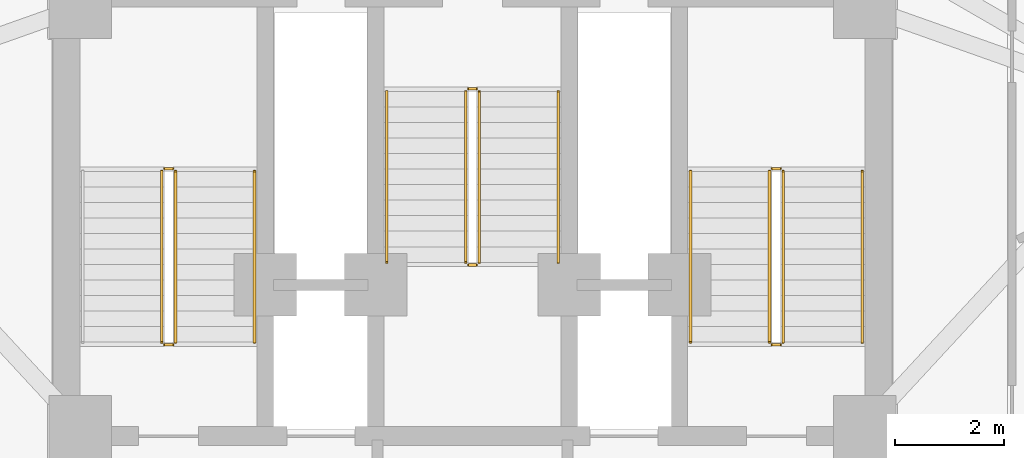
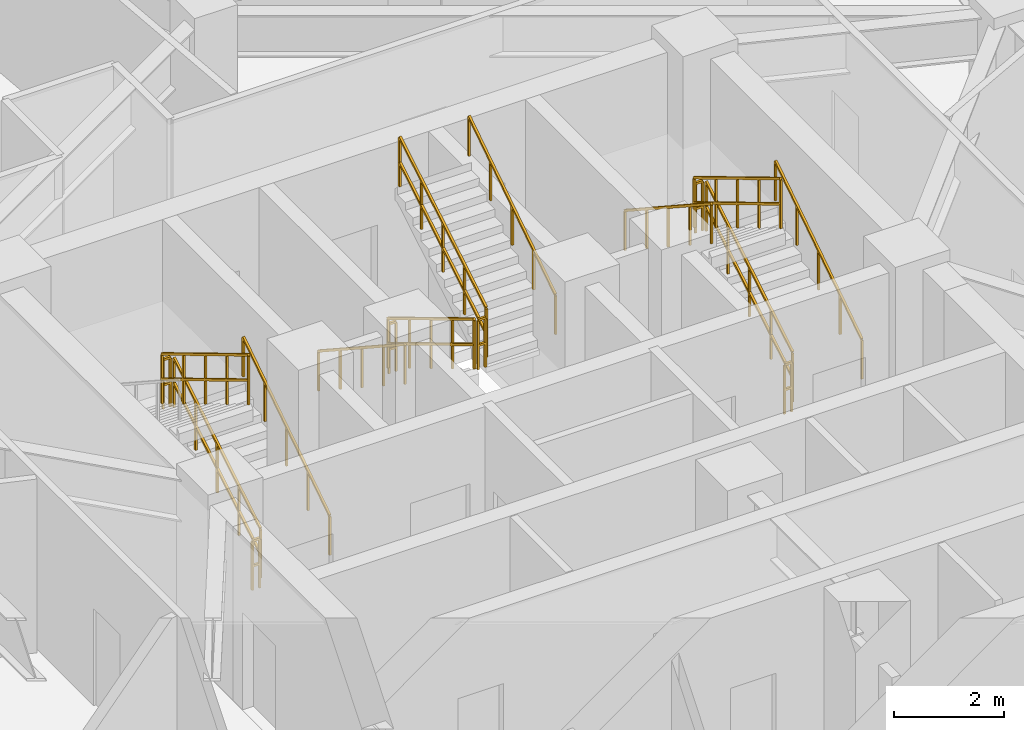
# One storey, part 11 of 12: 17 railings.
"""IFC4 building model written with IfcOpenShell, lengths in metres."""

from ifc_helpers import new_model, si_unit, direction, frame, origin, origin_2d, place, context, subcontext, project, spatial, rectangle, extrude, material, type_object, element, save


model = new_model("IFC4")

# Units and contexts
model_context = context("Model", 3, precision=1e-05, world=origin(), true_north=direction((0.0, 1.0)))
body_context = subcontext(model_context, "Body", "Model", "MODEL_VIEW")
ifc_project = project(units=[si_unit("LENGTHUNIT", "METRE"), si_unit("AREAUNIT", "SQUARE_METRE"), si_unit("VOLUMEUNIT", "CUBIC_METRE"), si_unit("PLANEANGLEUNIT", "RADIAN"), si_unit("MASSUNIT", "GRAM", prefix="KILO")], contexts=[model_context])

# Site, building, storey
site_placement = place(None, origin())
site = spatial("IfcSite", under=ifc_project, at=site_placement, CompositionType="ELEMENT")
building_placement = place(site_placement, origin())
building = spatial("IfcBuilding", under=site, at=building_placement, Name="Apsidion Concourse Tower", CompositionType="ELEMENT")
storey_placement = place(building_placement, frame((0.0, 0.0, 232.199951171875)))
storey = spatial("IfcBuildingStorey", under=building, at=storey_placement, Name="L54", CompositionType="ELEMENT", Elevation=232.199951171875)

# Railings
ifc_material = material(Name="Brushed stainless steel 316", Category="steel")
railing_type_1 = type_object("IfcRailingType", Name="RL-GUARD-1100", PredefinedType="GUARDRAIL", material=ifc_material)
railing_1_placement = place(storey_placement, frame((-5.449951171875, 3.0, 0.1708984375)))
element("IfcRailing", 1, at=railing_1_placement, inside=storey, type_object=railing_type_1, Name="L54 ST1 stair guard 1", PredefinedType="GUARDRAIL", context=body_context, shape_type="SweptSolid", body=[
    extrude(rectangle(XDim=0.048095703125, YDim=0.048095703125, at=origin_2d()), frame((0.0, 0.0, 1.09619140625), z_axis=(0.0, 0.857716804754, 0.514122439544), x_axis=(-1.0, 0.0, 0.0)), (0.0, 0.0, 1.0), 3.655029296875),
    extrude(rectangle(XDim=0.048095703125, YDim=0.048095703125, at=origin_2d()), frame((0.0, 0.0, 0.5361328125), z_axis=(0.0, 0.857716804754, 0.514122439544), x_axis=(-1.0, 0.0, 0.0)), (0.0, 0.0, 1.0), 3.655029296875),
    extrude(rectangle(XDim=0.0419921875, YDim=0.0419921875, at=origin_2d()), origin(), (0.0, 0.0, 1.0), 1.072021484375),
    extrude(rectangle(XDim=0.0419921875, YDim=0.0419921875, at=origin_2d()), frame((0.0, 0.78369140625, 0.4697265625)), (0.0, 0.0, 1.0), 1.072021484375),
    extrude(rectangle(XDim=0.0419921875, YDim=0.0419921875, at=origin_2d()), frame((0.0, 1.5673828125, 0.939453125)), (0.0, 0.0, 1.0), 1.072021484375),
    extrude(rectangle(XDim=0.0419921875, YDim=0.0419921875, at=origin_2d()), frame((0.0, 2.351318359375, 1.409423828125)), (0.0, 0.0, 1.0), 1.072021484375),
    extrude(rectangle(XDim=0.0419921875, YDim=0.0419921875, at=origin_2d()), frame((0.0, 3.135009765625, 1.879150390625)), (0.0, 0.0, 1.0), 1.072021484375),
])
railing_2_placement = place(storey_placement, frame((-5.5, 6.18505859375, 2.050048828125)))
element("IfcRailing", 2, at=railing_2_placement, inside=storey, type_object=railing_type_1, Name="L54 ST1 stair guard 2", PredefinedType="GUARDRAIL", context=body_context, shape_type="SweptSolid", body=[
    extrude(rectangle(XDim=0.048095703125, YDim=0.048095703125, at=origin_2d()), frame((0.0, 0.0, 1.09619140625), z_axis=(-1.0, 0.0, 0.0), x_axis=(0.0, -1.0, 0.0)), (0.0, 0.0, 1.0), 0.14990234375),
    extrude(rectangle(XDim=0.048095703125, YDim=0.048095703125, at=origin_2d()), frame((0.0, 0.0, 0.5361328125), z_axis=(-1.0, 0.0, 0.0), x_axis=(0.0, -1.0, 0.0)), (0.0, 0.0, 1.0), 0.14990234375),
    extrude(rectangle(XDim=0.0419921875, YDim=0.0419921875, at=origin_2d()), origin(), (0.0, 0.0, 1.0), 1.072021484375),
    extrude(rectangle(XDim=0.0419921875, YDim=0.0419921875, at=origin_2d()), frame((-0.14990234375, 0.0, 0.0)), (0.0, 0.0, 1.0), 1.072021484375),
])
railing_3_placement = place(storey_placement, frame((-5.699951171875, 6.135009765625, 2.220947265625)))
element("IfcRailing", 3, at=railing_3_placement, inside=storey, type_object=railing_type_1, Name="L54 ST1 stair guard 3", PredefinedType="GUARDRAIL", context=body_context, shape_type="SweptSolid", body=[
    extrude(rectangle(XDim=0.048095703125, YDim=0.048095703125, at=origin_2d()), frame((0.0, 0.0, 1.09619140625), z_axis=(0.0, -0.857716804754, 0.514122439544), x_axis=(1.0, 0.0, 0.0)), (0.0, 0.0, 1.0), 3.655029296875),
    extrude(rectangle(XDim=0.048095703125, YDim=0.048095703125, at=origin_2d()), frame((0.0, 0.0, 0.5361328125), z_axis=(0.0, -0.857716804754, 0.514122439544), x_axis=(1.0, 0.0, 0.0)), (0.0, 0.0, 1.0), 3.655029296875),
    extrude(rectangle(XDim=0.0419921875, YDim=0.0419921875, at=origin_2d()), origin(), (0.0, 0.0, 1.0), 1.072021484375),
    extrude(rectangle(XDim=0.0419921875, YDim=0.0419921875, at=origin_2d()), frame((0.0, -0.78369140625, 0.4697265625)), (0.0, 0.0, 1.0), 1.072021484375),
    extrude(rectangle(XDim=0.0419921875, YDim=0.0419921875, at=origin_2d()), frame((0.0, -1.5673828125, 0.939453125)), (0.0, 0.0, 1.0), 1.072021484375),
    extrude(rectangle(XDim=0.0419921875, YDim=0.0419921875, at=origin_2d()), frame((0.0, -2.351318359375, 1.409423828125)), (0.0, 0.0, 1.0), 1.072021484375),
    extrude(rectangle(XDim=0.0419921875, YDim=0.0419921875, at=origin_2d()), frame((0.0, -3.135009765625, 1.879150390625)), (0.0, 0.0, 1.0), 1.072021484375),
])
railing_4_placement = place(storey_placement, frame((-5.5, 2.949951171875, 0.0)))
element("IfcRailing", 4, at=railing_4_placement, inside=storey, type_object=railing_type_1, Name="L54 ST1 stair guard 4", PredefinedType="GUARDRAIL", context=body_context, shape_type="SweptSolid", body=[
    extrude(rectangle(XDim=0.048095703125, YDim=0.048095703125, at=origin_2d()), frame((0.0, 0.0, 1.09619140625), z_axis=(-1.0, 0.0, 0.0), x_axis=(0.0, -1.0, 0.0)), (0.0, 0.0, 1.0), 0.14990234375),
    extrude(rectangle(XDim=0.048095703125, YDim=0.048095703125, at=origin_2d()), frame((0.0, 0.0, 0.5361328125), z_axis=(-1.0, 0.0, 0.0), x_axis=(0.0, -1.0, 0.0)), (0.0, 0.0, 1.0), 0.14990234375),
    extrude(rectangle(XDim=0.0419921875, YDim=0.0419921875, at=origin_2d()), origin(), (0.0, 0.0, 1.0), 1.072021484375),
    extrude(rectangle(XDim=0.0419921875, YDim=0.0419921875, at=origin_2d()), frame((-0.14990234375, 0.0, 0.0)), (0.0, 0.0, 1.0), 1.072021484375),
])
railing_5_placement = place(storey_placement, frame((5.699951171875, 3.0, 0.1708984375)))
element("IfcRailing", 5, at=railing_5_placement, inside=storey, type_object=railing_type_1, Name="L54 ST2 stair guard 1", PredefinedType="GUARDRAIL", context=body_context, shape_type="SweptSolid", body=[
    extrude(rectangle(XDim=0.048095703125, YDim=0.048095703125, at=origin_2d()), frame((0.0, 0.0, 1.09619140625), z_axis=(0.0, 0.857716804754, 0.514122439544), x_axis=(-1.0, 0.0, 0.0)), (0.0, 0.0, 1.0), 3.655029296875),
    extrude(rectangle(XDim=0.048095703125, YDim=0.048095703125, at=origin_2d()), frame((0.0, 0.0, 0.5361328125), z_axis=(0.0, 0.857716804754, 0.514122439544), x_axis=(-1.0, 0.0, 0.0)), (0.0, 0.0, 1.0), 3.655029296875),
    extrude(rectangle(XDim=0.0419921875, YDim=0.0419921875, at=origin_2d()), origin(), (0.0, 0.0, 1.0), 1.072021484375),
    extrude(rectangle(XDim=0.0419921875, YDim=0.0419921875, at=origin_2d()), frame((0.0, 0.78369140625, 0.4697265625)), (0.0, 0.0, 1.0), 1.072021484375),
    extrude(rectangle(XDim=0.0419921875, YDim=0.0419921875, at=origin_2d()), frame((0.0, 1.5673828125, 0.939453125)), (0.0, 0.0, 1.0), 1.072021484375),
    extrude(rectangle(XDim=0.0419921875, YDim=0.0419921875, at=origin_2d()), frame((0.0, 2.351318359375, 1.409423828125)), (0.0, 0.0, 1.0), 1.072021484375),
    extrude(rectangle(XDim=0.0419921875, YDim=0.0419921875, at=origin_2d()), frame((0.0, 3.135009765625, 1.879150390625)), (0.0, 0.0, 1.0), 1.072021484375),
])
railing_6_placement = place(storey_placement, frame((5.64990234375, 6.18505859375, 2.050048828125)))
element("IfcRailing", 6, at=railing_6_placement, inside=storey, type_object=railing_type_1, Name="L54 ST2 stair guard 2", PredefinedType="GUARDRAIL", context=body_context, shape_type="SweptSolid", body=[
    extrude(rectangle(XDim=0.048095703125, YDim=0.048095703125, at=origin_2d()), frame((0.0, 0.0, 1.09619140625), z_axis=(-1.0, 0.0, 0.0), x_axis=(0.0, -1.0, 0.0)), (0.0, 0.0, 1.0), 0.14990234375),
    extrude(rectangle(XDim=0.048095703125, YDim=0.048095703125, at=origin_2d()), frame((0.0, 0.0, 0.5361328125), z_axis=(-1.0, 0.0, 0.0), x_axis=(0.0, -1.0, 0.0)), (0.0, 0.0, 1.0), 0.14990234375),
    extrude(rectangle(XDim=0.0419921875, YDim=0.0419921875, at=origin_2d()), origin(), (0.0, 0.0, 1.0), 1.072021484375),
    extrude(rectangle(XDim=0.0419921875, YDim=0.0419921875, at=origin_2d()), frame((-0.14990234375, 0.0, 0.0)), (0.0, 0.0, 1.0), 1.072021484375),
])
railing_7_placement = place(storey_placement, frame((5.449951171875, 6.135009765625, 2.220947265625)))
element("IfcRailing", 7, at=railing_7_placement, inside=storey, type_object=railing_type_1, Name="L54 ST2 stair guard 3", PredefinedType="GUARDRAIL", context=body_context, shape_type="SweptSolid", body=[
    extrude(rectangle(XDim=0.048095703125, YDim=0.048095703125, at=origin_2d()), frame((0.0, 0.0, 1.09619140625), z_axis=(0.0, -0.857716804754, 0.514122439544), x_axis=(1.0, 0.0, 0.0)), (0.0, 0.0, 1.0), 3.655029296875),
    extrude(rectangle(XDim=0.048095703125, YDim=0.048095703125, at=origin_2d()), frame((0.0, 0.0, 0.5361328125), z_axis=(0.0, -0.857716804754, 0.514122439544), x_axis=(1.0, 0.0, 0.0)), (0.0, 0.0, 1.0), 3.655029296875),
    extrude(rectangle(XDim=0.0419921875, YDim=0.0419921875, at=origin_2d()), origin(), (0.0, 0.0, 1.0), 1.072021484375),
    extrude(rectangle(XDim=0.0419921875, YDim=0.0419921875, at=origin_2d()), frame((0.0, -0.78369140625, 0.4697265625)), (0.0, 0.0, 1.0), 1.072021484375),
    extrude(rectangle(XDim=0.0419921875, YDim=0.0419921875, at=origin_2d()), frame((0.0, -1.5673828125, 0.939453125)), (0.0, 0.0, 1.0), 1.072021484375),
    extrude(rectangle(XDim=0.0419921875, YDim=0.0419921875, at=origin_2d()), frame((0.0, -2.351318359375, 1.409423828125)), (0.0, 0.0, 1.0), 1.072021484375),
    extrude(rectangle(XDim=0.0419921875, YDim=0.0419921875, at=origin_2d()), frame((0.0, -3.135009765625, 1.879150390625)), (0.0, 0.0, 1.0), 1.072021484375),
])
railing_8_placement = place(storey_placement, frame((5.64990234375, 2.949951171875, 0.0)))
element("IfcRailing", 8, at=railing_8_placement, inside=storey, type_object=railing_type_1, Name="L54 ST2 stair guard 4", PredefinedType="GUARDRAIL", context=body_context, shape_type="SweptSolid", body=[
    extrude(rectangle(XDim=0.048095703125, YDim=0.048095703125, at=origin_2d()), frame((0.0, 0.0, 1.09619140625), z_axis=(-1.0, 0.0, 0.0), x_axis=(0.0, -1.0, 0.0)), (0.0, 0.0, 1.0), 0.14990234375),
    extrude(rectangle(XDim=0.048095703125, YDim=0.048095703125, at=origin_2d()), frame((0.0, 0.0, 0.5361328125), z_axis=(-1.0, 0.0, 0.0), x_axis=(0.0, -1.0, 0.0)), (0.0, 0.0, 1.0), 0.14990234375),
    extrude(rectangle(XDim=0.0419921875, YDim=0.0419921875, at=origin_2d()), origin(), (0.0, 0.0, 1.0), 1.072021484375),
    extrude(rectangle(XDim=0.0419921875, YDim=0.0419921875, at=origin_2d()), frame((-0.14990234375, 0.0, 0.0)), (0.0, 0.0, 1.0), 1.072021484375),
])
railing_9_placement = place(storey_placement, frame((-0.125, 7.60009765625, 0.1708984375)))
element("IfcRailing", 9, at=railing_9_placement, inside=storey, type_object=railing_type_1, Name="L54 ST3 stair guard 1", PredefinedType="GUARDRAIL", context=body_context, shape_type="SweptSolid", body=[
    extrude(rectangle(XDim=0.048095703125, YDim=0.048095703125, at=origin_2d()), frame((0.0, 0.0, 1.09619140625), z_axis=(0.0, -0.857716804754, 0.514122439544), x_axis=(1.0, 0.0, 0.0)), (0.0, 0.0, 1.0), 3.655029296875),
    extrude(rectangle(XDim=0.048095703125, YDim=0.048095703125, at=origin_2d()), frame((0.0, 0.0, 0.5361328125), z_axis=(0.0, -0.857716804754, 0.514122439544), x_axis=(1.0, 0.0, 0.0)), (0.0, 0.0, 1.0), 3.655029296875),
    extrude(rectangle(XDim=0.0419921875, YDim=0.0419921875, at=origin_2d()), origin(), (0.0, 0.0, 1.0), 1.072021484375),
    extrude(rectangle(XDim=0.0419921875, YDim=0.0419921875, at=origin_2d()), frame((0.0, -0.78369140625, 0.4697265625)), (0.0, 0.0, 1.0), 1.072021484375),
    extrude(rectangle(XDim=0.0419921875, YDim=0.0419921875, at=origin_2d()), frame((0.0, -1.5673828125, 0.939453125)), (0.0, 0.0, 1.0), 1.072021484375),
    extrude(rectangle(XDim=0.0419921875, YDim=0.0419921875, at=origin_2d()), frame((0.0, -2.351318359375, 1.409423828125)), (0.0, 0.0, 1.0), 1.072021484375),
    extrude(rectangle(XDim=0.0419921875, YDim=0.0419921875, at=origin_2d()), frame((0.0, -3.135009765625, 1.879150390625)), (0.0, 0.0, 1.0), 1.072021484375),
])
railing_10_placement = place(storey_placement, frame((-0.074951171875, 4.4150390625, 2.050048828125)))
element("IfcRailing", 10, at=railing_10_placement, inside=storey, type_object=railing_type_1, Name="L54 ST3 stair guard 2", PredefinedType="GUARDRAIL", context=body_context, shape_type="SweptSolid", body=[
    extrude(rectangle(XDim=0.048095703125, YDim=0.048095703125, at=origin_2d()), frame((0.0, 0.0, 1.09619140625), z_axis=(1.0, 0.0, 0.0), x_axis=(0.0, 1.0, 0.0)), (0.0, 0.0, 1.0), 0.14990234375),
    extrude(rectangle(XDim=0.048095703125, YDim=0.048095703125, at=origin_2d()), frame((0.0, 0.0, 0.5361328125), z_axis=(1.0, 0.0, 0.0), x_axis=(0.0, 1.0, 0.0)), (0.0, 0.0, 1.0), 0.14990234375),
    extrude(rectangle(XDim=0.0419921875, YDim=0.0419921875, at=origin_2d()), origin(), (0.0, 0.0, 1.0), 1.072021484375),
    extrude(rectangle(XDim=0.0419921875, YDim=0.0419921875, at=origin_2d()), frame((0.14990234375, 0.0, 0.0)), (0.0, 0.0, 1.0), 1.072021484375),
])
railing_11_placement = place(storey_placement, frame((0.125, 4.465087890625, 2.220947265625)))
element("IfcRailing", 11, at=railing_11_placement, inside=storey, type_object=railing_type_1, Name="L54 ST3 stair guard 3", PredefinedType="GUARDRAIL", context=body_context, shape_type="SweptSolid", body=[
    extrude(rectangle(XDim=0.048095703125, YDim=0.048095703125, at=origin_2d()), frame((0.0, 0.0, 1.09619140625), z_axis=(0.0, 0.857716804754, 0.514122439544), x_axis=(-1.0, 0.0, 0.0)), (0.0, 0.0, 1.0), 3.655029296875),
    extrude(rectangle(XDim=0.048095703125, YDim=0.048095703125, at=origin_2d()), frame((0.0, 0.0, 0.5361328125), z_axis=(0.0, 0.857716804754, 0.514122439544), x_axis=(-1.0, 0.0, 0.0)), (0.0, 0.0, 1.0), 3.655029296875),
    extrude(rectangle(XDim=0.0419921875, YDim=0.0419921875, at=origin_2d()), origin(), (0.0, 0.0, 1.0), 1.072021484375),
    extrude(rectangle(XDim=0.0419921875, YDim=0.0419921875, at=origin_2d()), frame((0.0, 0.78369140625, 0.4697265625)), (0.0, 0.0, 1.0), 1.072021484375),
    extrude(rectangle(XDim=0.0419921875, YDim=0.0419921875, at=origin_2d()), frame((0.0, 1.5673828125, 0.939453125)), (0.0, 0.0, 1.0), 1.072021484375),
    extrude(rectangle(XDim=0.0419921875, YDim=0.0419921875, at=origin_2d()), frame((0.0, 2.351318359375, 1.409423828125)), (0.0, 0.0, 1.0), 1.072021484375),
    extrude(rectangle(XDim=0.0419921875, YDim=0.0419921875, at=origin_2d()), frame((0.0, 3.135009765625, 1.879150390625)), (0.0, 0.0, 1.0), 1.072021484375),
])
railing_12_placement = place(storey_placement, frame((-0.074951171875, 7.64990234375, 0.0)))
element("IfcRailing", 12, at=railing_12_placement, inside=storey, type_object=railing_type_1, Name="L54 ST3 stair guard 4", PredefinedType="GUARDRAIL", context=body_context, shape_type="SweptSolid", body=[
    extrude(rectangle(XDim=0.048095703125, YDim=0.048095703125, at=origin_2d()), frame((0.0, 0.0, 1.09619140625), z_axis=(1.0, 0.0, 0.0), x_axis=(0.0, 1.0, 0.0)), (0.0, 0.0, 1.0), 0.14990234375),
    extrude(rectangle(XDim=0.048095703125, YDim=0.048095703125, at=origin_2d()), frame((0.0, 0.0, 0.5361328125), z_axis=(1.0, 0.0, 0.0), x_axis=(0.0, 1.0, 0.0)), (0.0, 0.0, 1.0), 0.14990234375),
    extrude(rectangle(XDim=0.0419921875, YDim=0.0419921875, at=origin_2d()), origin(), (0.0, 0.0, 1.0), 1.072021484375),
    extrude(rectangle(XDim=0.0419921875, YDim=0.0419921875, at=origin_2d()), frame((0.14990234375, 0.0, 0.0)), (0.0, 0.0, 1.0), 1.072021484375),
])
railing_type_2 = type_object("IfcRailingType", Name="RL-HAND-900", PredefinedType="HANDRAIL", material=ifc_material)
for number, where, name in (
    (13, (-4.0, 3.0, 0.1708984375), "L54 ST1 stair handrail 1"),
    (14, (7.14990234375, 3.0, 0.1708984375), "L54 ST2 stair handrail 1"),
):
    element("IfcRailing", number, at=place(storey_placement, frame(where)), inside=storey, type_object=railing_type_2, Name=name, PredefinedType="HANDRAIL", context=body_context, shape_type="SweptSolid", body=[
        extrude(rectangle(XDim=0.048095703125, YDim=0.048095703125, at=origin_2d()), frame((0.0, 0.0, 0.8759765625), z_axis=(0.0, 0.836940907821, 0.547293263996), x_axis=(-1.0, 0.0, 0.0)), (0.0, 0.0, 1.0), 3.745849609375),
        extrude(rectangle(XDim=0.0419921875, YDim=0.0419921875, at=origin_2d()), origin(), (0.0, 0.0, 1.0), 0.851806640625),
        extrude(rectangle(XDim=0.0419921875, YDim=0.0419921875, at=origin_2d()), frame((0.0, 0.78369140625, 0.512451171875)), (0.0, 0.0, 1.0), 0.851806640625),
        extrude(rectangle(XDim=0.0419921875, YDim=0.0419921875, at=origin_2d()), frame((0.0, 1.5673828125, 1.02490234375)), (0.0, 0.0, 1.0), 0.851806640625),
        extrude(rectangle(XDim=0.0419921875, YDim=0.0419921875, at=origin_2d()), frame((0.0, 2.351318359375, 1.53759765625)), (0.0, 0.0, 1.0), 0.851806640625),
        extrude(rectangle(XDim=0.0419921875, YDim=0.0419921875, at=origin_2d()), frame((0.0, 3.135009765625, 2.050048828125)), (0.0, 0.0, 1.0), 0.851806640625),
    ])
for number, where, name in (
    (15, (4.0, 6.135009765625, 2.220947265625), "L54 ST2 stair handrail 2"),
    (16, (-1.574951171875, 7.60009765625, 0.1708984375), "L54 ST3 stair handrail 1"),
):
    element("IfcRailing", number, at=place(storey_placement, frame(where)), inside=storey, type_object=railing_type_2, Name=name, PredefinedType="HANDRAIL", context=body_context, shape_type="SweptSolid", body=[
        extrude(rectangle(XDim=0.048095703125, YDim=0.048095703125, at=origin_2d()), frame((0.0, 0.0, 0.8759765625), z_axis=(0.0, -0.836940907821, 0.547293263996), x_axis=(1.0, 0.0, 0.0)), (0.0, 0.0, 1.0), 3.745849609375),
        extrude(rectangle(XDim=0.0419921875, YDim=0.0419921875, at=origin_2d()), origin(), (0.0, 0.0, 1.0), 0.851806640625),
        extrude(rectangle(XDim=0.0419921875, YDim=0.0419921875, at=origin_2d()), frame((0.0, -0.78369140625, 0.512451171875)), (0.0, 0.0, 1.0), 0.851806640625),
        extrude(rectangle(XDim=0.0419921875, YDim=0.0419921875, at=origin_2d()), frame((0.0, -1.5673828125, 1.02490234375)), (0.0, 0.0, 1.0), 0.851806640625),
        extrude(rectangle(XDim=0.0419921875, YDim=0.0419921875, at=origin_2d()), frame((0.0, -2.351318359375, 1.53759765625)), (0.0, 0.0, 1.0), 0.851806640625),
        extrude(rectangle(XDim=0.0419921875, YDim=0.0419921875, at=origin_2d()), frame((0.0, -3.135009765625, 2.050048828125)), (0.0, 0.0, 1.0), 0.851806640625),
    ])
railing_13_placement = place(storey_placement, frame((1.574951171875, 4.465087890625, 2.220947265625)))
element("IfcRailing", 17, at=railing_13_placement, inside=storey, type_object=railing_type_2, Name="L54 ST3 stair handrail 2", PredefinedType="HANDRAIL", context=body_context, shape_type="SweptSolid", body=[
    extrude(rectangle(XDim=0.048095703125, YDim=0.048095703125, at=origin_2d()), frame((0.0, 0.0, 0.8759765625), z_axis=(0.0, 0.836940907821, 0.547293263996), x_axis=(-1.0, 0.0, 0.0)), (0.0, 0.0, 1.0), 3.745849609375),
    extrude(rectangle(XDim=0.0419921875, YDim=0.0419921875, at=origin_2d()), origin(), (0.0, 0.0, 1.0), 0.851806640625),
    extrude(rectangle(XDim=0.0419921875, YDim=0.0419921875, at=origin_2d()), frame((0.0, 0.78369140625, 0.512451171875)), (0.0, 0.0, 1.0), 0.851806640625),
    extrude(rectangle(XDim=0.0419921875, YDim=0.0419921875, at=origin_2d()), frame((0.0, 1.5673828125, 1.02490234375)), (0.0, 0.0, 1.0), 0.851806640625),
    extrude(rectangle(XDim=0.0419921875, YDim=0.0419921875, at=origin_2d()), frame((0.0, 2.351318359375, 1.53759765625)), (0.0, 0.0, 1.0), 0.851806640625),
    extrude(rectangle(XDim=0.0419921875, YDim=0.0419921875, at=origin_2d()), frame((0.0, 3.135009765625, 2.050048828125)), (0.0, 0.0, 1.0), 0.851806640625),
])

save(model, "model.ifc")
